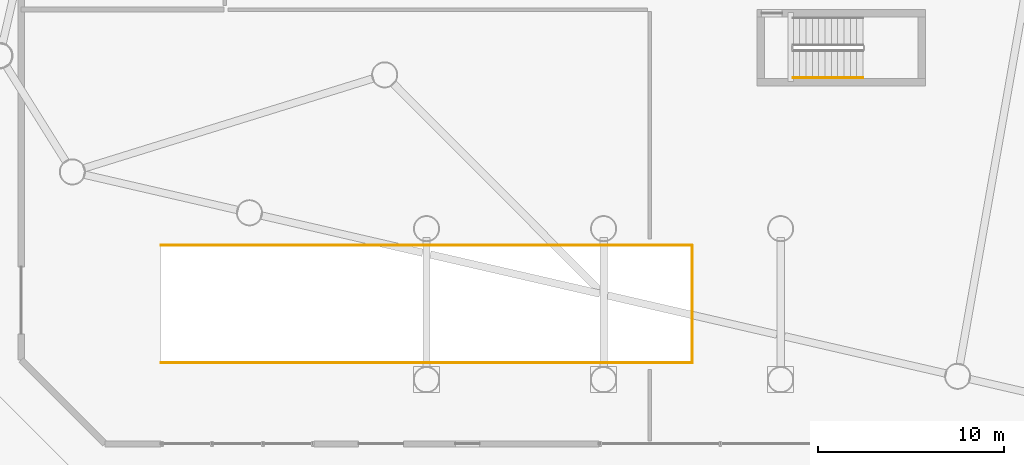
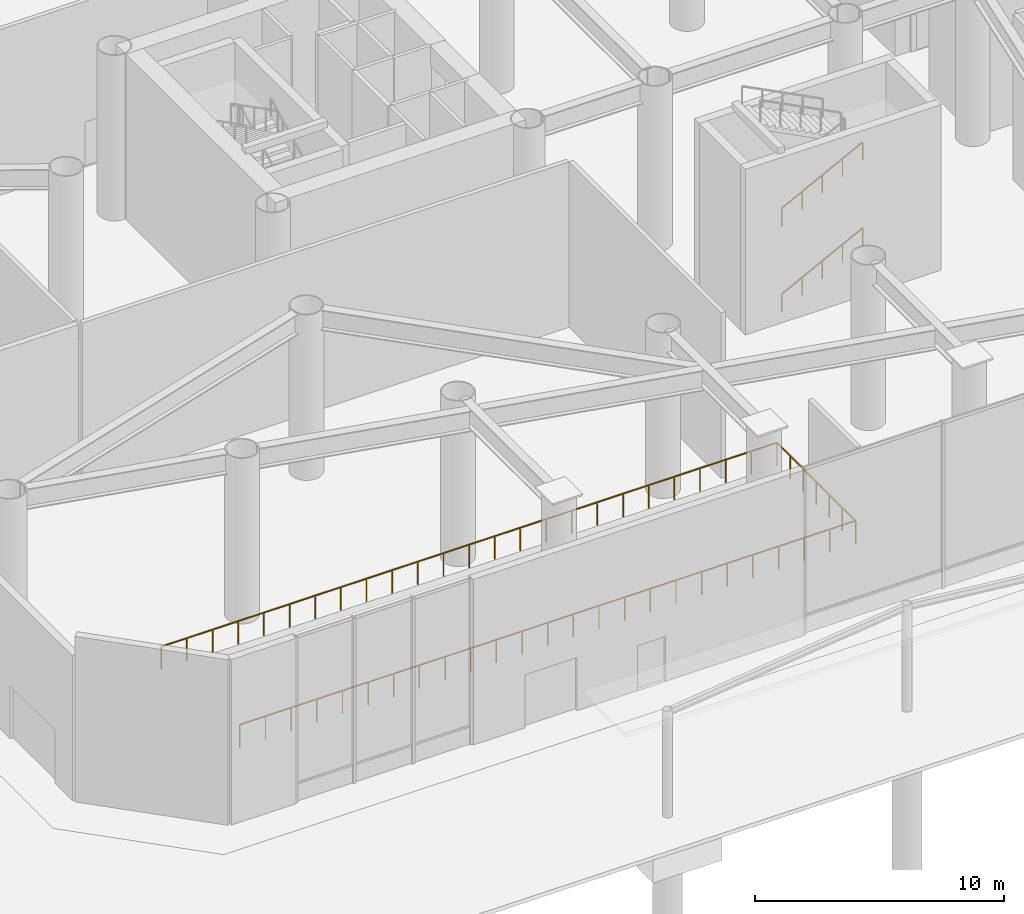
# One storey, part 26 of 28: 5 railings.
"""IFC4 building model written with IfcOpenShell, lengths in metres."""

from ifc_helpers import new_model, si_unit, direction, frame, origin, origin_2d, place, context, subcontext, project, spatial, rectangle, extrude, material, layer, layer_set, type_object, element, save


model = new_model("IFC4")

# Units and contexts
model_context = context("Model", 3, precision=1e-05, world=origin(), true_north=direction((0.0, 1.0)))
body_context = subcontext(model_context, "Body", "Model", "MODEL_VIEW")
ifc_project = project(units=[si_unit("LENGTHUNIT", "METRE"), si_unit("AREAUNIT", "SQUARE_METRE"), si_unit("VOLUMEUNIT", "CUBIC_METRE"), si_unit("PLANEANGLEUNIT", "RADIAN"), si_unit("MASSUNIT", "GRAM", prefix="KILO")], contexts=[model_context])

# Site, building, storey
site_placement = place(None, origin())
site = spatial("IfcSite", under=ifc_project, at=site_placement, CompositionType="ELEMENT")
building_placement = place(site_placement, origin())
building = spatial("IfcBuilding", under=site, at=building_placement, Name="Tavrogorsk Clinical Tower", CompositionType="ELEMENT")
storey_placement = place(building_placement, origin())
storey = spatial("IfcBuildingStorey", under=building, at=storey_placement, Name="L00", CompositionType="ELEMENT", Elevation=0.0)

# Railings
ifc_material_1 = material(Name="Galvanised steel S355 safety guardrail", Category="steel")
ifc_layer_1 = layer(ifc_material_1, 0.080078125)
ifc_layer_set_1 = layer_set([ifc_layer_1], Name="Galvanised steel S355 safety guardrail")
railing_type_1 = type_object("IfcRailingType", Name="RoofEdgeGuardRailing_1150", PredefinedType="GUARDRAIL", material=ifc_layer_set_1)
railing_1_placement = place(storey_placement, frame((-36.5, -28.64990234375, 0.0)))
element("IfcRailing", 1, at=railing_1_placement, inside=storey, type_object=railing_type_1, Name="L00 Vehicle Ramp Well Guardrail 1", PredefinedType="GUARDRAIL", context=body_context, shape_type="SweptSolid", body=[
    extrude(rectangle(XDim=0.048095703125, YDim=0.048095703125, at=origin_2d()), frame((0.0, 0.0, 1.1259765625), z_axis=(1.0, 0.0, 0.0), x_axis=(0.0, 1.0, 0.0)), (0.0, 0.0, 1.0), 28.5),
    extrude(rectangle(XDim=0.0419921875, YDim=0.0419921875, at=origin_2d()), origin(), (0.0, 0.0, 1.0), 1.101806640625),
    extrude(rectangle(XDim=0.0419921875, YDim=0.0419921875, at=origin_2d()), frame((1.1875, 0.0, 0.0)), (0.0, 0.0, 1.0), 1.101806640625),
    extrude(rectangle(XDim=0.0419921875, YDim=0.0419921875, at=origin_2d()), frame((2.375, 0.0, 0.0)), (0.0, 0.0, 1.0), 1.101806640625),
    extrude(rectangle(XDim=0.0419921875, YDim=0.0419921875, at=origin_2d()), frame((3.5625, 0.0, 0.0)), (0.0, 0.0, 1.0), 1.101806640625),
    extrude(rectangle(XDim=0.0419921875, YDim=0.0419921875, at=origin_2d()), frame((4.75, 0.0, 0.0)), (0.0, 0.0, 1.0), 1.101806640625),
    extrude(rectangle(XDim=0.0419921875, YDim=0.0419921875, at=origin_2d()), frame((5.9375, 0.0, 0.0)), (0.0, 0.0, 1.0), 1.101806640625),
    extrude(rectangle(XDim=0.0419921875, YDim=0.0419921875, at=origin_2d()), frame((7.125, 0.0, 0.0)), (0.0, 0.0, 1.0), 1.101806640625),
    extrude(rectangle(XDim=0.0419921875, YDim=0.0419921875, at=origin_2d()), frame((8.3125, 0.0, 0.0)), (0.0, 0.0, 1.0), 1.101806640625),
    extrude(rectangle(XDim=0.0419921875, YDim=0.0419921875, at=origin_2d()), frame((9.5, 0.0, 0.0)), (0.0, 0.0, 1.0), 1.101806640625),
    extrude(rectangle(XDim=0.0419921875, YDim=0.0419921875, at=origin_2d()), frame((10.6875, 0.0, 0.0)), (0.0, 0.0, 1.0), 1.101806640625),
    extrude(rectangle(XDim=0.0419921875, YDim=0.0419921875, at=origin_2d()), frame((11.875, 0.0, 0.0)), (0.0, 0.0, 1.0), 1.101806640625),
    extrude(rectangle(XDim=0.0419921875, YDim=0.0419921875, at=origin_2d()), frame((13.0625, 0.0, 0.0)), (0.0, 0.0, 1.0), 1.101806640625),
    extrude(rectangle(XDim=0.0419921875, YDim=0.0419921875, at=origin_2d()), frame((14.25, 0.0, 0.0)), (0.0, 0.0, 1.0), 1.101806640625),
    extrude(rectangle(XDim=0.0419921875, YDim=0.0419921875, at=origin_2d()), frame((15.4375, 0.0, 0.0)), (0.0, 0.0, 1.0), 1.101806640625),
    extrude(rectangle(XDim=0.0419921875, YDim=0.0419921875, at=origin_2d()), frame((16.625, 0.0, 0.0)), (0.0, 0.0, 1.0), 1.101806640625),
    extrude(rectangle(XDim=0.0419921875, YDim=0.0419921875, at=origin_2d()), frame((17.8125, 0.0, 0.0)), (0.0, 0.0, 1.0), 1.101806640625),
    extrude(rectangle(XDim=0.0419921875, YDim=0.0419921875, at=origin_2d()), frame((19.0, 0.0, 0.0)), (0.0, 0.0, 1.0), 1.101806640625),
    extrude(rectangle(XDim=0.0419921875, YDim=0.0419921875, at=origin_2d()), frame((20.1875, 0.0, 0.0)), (0.0, 0.0, 1.0), 1.101806640625),
    extrude(rectangle(XDim=0.0419921875, YDim=0.0419921875, at=origin_2d()), frame((21.375, 0.0, 0.0)), (0.0, 0.0, 1.0), 1.101806640625),
    extrude(rectangle(XDim=0.0419921875, YDim=0.0419921875, at=origin_2d()), frame((22.5625, 0.0, 0.0)), (0.0, 0.0, 1.0), 1.101806640625),
    extrude(rectangle(XDim=0.0419921875, YDim=0.0419921875, at=origin_2d()), frame((23.75, 0.0, 0.0)), (0.0, 0.0, 1.0), 1.101806640625),
    extrude(rectangle(XDim=0.0419921875, YDim=0.0419921875, at=origin_2d()), frame((24.9375, 0.0, 0.0)), (0.0, 0.0, 1.0), 1.101806640625),
    extrude(rectangle(XDim=0.0419921875, YDim=0.0419921875, at=origin_2d()), frame((26.125, 0.0, 0.0)), (0.0, 0.0, 1.0), 1.101806640625),
    extrude(rectangle(XDim=0.0419921875, YDim=0.0419921875, at=origin_2d()), frame((27.3125, 0.0, 0.0)), (0.0, 0.0, 1.0), 1.101806640625),
    extrude(rectangle(XDim=0.0419921875, YDim=0.0419921875, at=origin_2d()), frame((28.5, 0.0, 0.0)), (0.0, 0.0, 1.0), 1.101806640625),
])
railing_2_placement = place(storey_placement, frame((-8.0, -28.64990234375, 0.0)))
element("IfcRailing", 2, at=railing_2_placement, inside=storey, type_object=railing_type_1, Name="L00 Vehicle Ramp Well Guardrail 2", PredefinedType="GUARDRAIL", context=body_context, shape_type="SweptSolid", body=[
    extrude(rectangle(XDim=0.048095703125, YDim=0.048095703125, at=origin_2d()), frame((0.0, 0.0, 1.1259765625), z_axis=(0.0, 1.0, 0.0), x_axis=(-1.0, 0.0, 0.0)), (0.0, 0.0, 1.0), 6.2998046875),
    extrude(rectangle(XDim=0.0419921875, YDim=0.0419921875, at=origin_2d()), origin(), (0.0, 0.0, 1.0), 1.101806640625),
    extrude(rectangle(XDim=0.0419921875, YDim=0.0419921875, at=origin_2d()), frame((0.0, 1.050048828125, 0.0)), (0.0, 0.0, 1.0), 1.101806640625),
    extrude(rectangle(XDim=0.0419921875, YDim=0.0419921875, at=origin_2d()), frame((0.0, 2.099853515625, 0.0)), (0.0, 0.0, 1.0), 1.101806640625),
    extrude(rectangle(XDim=0.0419921875, YDim=0.0419921875, at=origin_2d()), frame((0.0, 3.14990234375, 0.0)), (0.0, 0.0, 1.0), 1.101806640625),
    extrude(rectangle(XDim=0.0419921875, YDim=0.0419921875, at=origin_2d()), frame((0.0, 4.199951171875, 0.0)), (0.0, 0.0, 1.0), 1.101806640625),
    extrude(rectangle(XDim=0.0419921875, YDim=0.0419921875, at=origin_2d()), frame((0.0, 5.249755859375, 0.0)), (0.0, 0.0, 1.0), 1.101806640625),
    extrude(rectangle(XDim=0.0419921875, YDim=0.0419921875, at=origin_2d()), frame((0.0, 6.2998046875, 0.0)), (0.0, 0.0, 1.0), 1.101806640625),
])
railing_3_placement = place(storey_placement, frame((-8.0, -22.35009765625, 0.0)))
element("IfcRailing", 3, at=railing_3_placement, inside=storey, type_object=railing_type_1, Name="L00 Vehicle Ramp Well Guardrail 3", PredefinedType="GUARDRAIL", context=body_context, shape_type="SweptSolid", body=[
    extrude(rectangle(XDim=0.048095703125, YDim=0.048095703125, at=origin_2d()), frame((0.0, 0.0, 1.1259765625), z_axis=(-1.0, 0.0, 0.0), x_axis=(0.0, -1.0, 0.0)), (0.0, 0.0, 1.0), 28.5),
    extrude(rectangle(XDim=0.0419921875, YDim=0.0419921875, at=origin_2d()), origin(), (0.0, 0.0, 1.0), 1.101806640625),
    extrude(rectangle(XDim=0.0419921875, YDim=0.0419921875, at=origin_2d()), frame((-1.1875, 0.0, 0.0)), (0.0, 0.0, 1.0), 1.101806640625),
    extrude(rectangle(XDim=0.0419921875, YDim=0.0419921875, at=origin_2d()), frame((-2.375, 0.0, 0.0)), (0.0, 0.0, 1.0), 1.101806640625),
    extrude(rectangle(XDim=0.0419921875, YDim=0.0419921875, at=origin_2d()), frame((-3.5625, 0.0, 0.0)), (0.0, 0.0, 1.0), 1.101806640625),
    extrude(rectangle(XDim=0.0419921875, YDim=0.0419921875, at=origin_2d()), frame((-4.75, 0.0, 0.0)), (0.0, 0.0, 1.0), 1.101806640625),
    extrude(rectangle(XDim=0.0419921875, YDim=0.0419921875, at=origin_2d()), frame((-5.9375, 0.0, 0.0)), (0.0, 0.0, 1.0), 1.101806640625),
    extrude(rectangle(XDim=0.0419921875, YDim=0.0419921875, at=origin_2d()), frame((-7.125, 0.0, 0.0)), (0.0, 0.0, 1.0), 1.101806640625),
    extrude(rectangle(XDim=0.0419921875, YDim=0.0419921875, at=origin_2d()), frame((-8.3125, 0.0, 0.0)), (0.0, 0.0, 1.0), 1.101806640625),
    extrude(rectangle(XDim=0.0419921875, YDim=0.0419921875, at=origin_2d()), frame((-9.5, 0.0, 0.0)), (0.0, 0.0, 1.0), 1.101806640625),
    extrude(rectangle(XDim=0.0419921875, YDim=0.0419921875, at=origin_2d()), frame((-10.6875, 0.0, 0.0)), (0.0, 0.0, 1.0), 1.101806640625),
    extrude(rectangle(XDim=0.0419921875, YDim=0.0419921875, at=origin_2d()), frame((-11.875, 0.0, 0.0)), (0.0, 0.0, 1.0), 1.101806640625),
    extrude(rectangle(XDim=0.0419921875, YDim=0.0419921875, at=origin_2d()), frame((-13.0625, 0.0, 0.0)), (0.0, 0.0, 1.0), 1.101806640625),
    extrude(rectangle(XDim=0.0419921875, YDim=0.0419921875, at=origin_2d()), frame((-14.25, 0.0, 0.0)), (0.0, 0.0, 1.0), 1.101806640625),
    extrude(rectangle(XDim=0.0419921875, YDim=0.0419921875, at=origin_2d()), frame((-15.4375, 0.0, 0.0)), (0.0, 0.0, 1.0), 1.101806640625),
    extrude(rectangle(XDim=0.0419921875, YDim=0.0419921875, at=origin_2d()), frame((-16.625, 0.0, 0.0)), (0.0, 0.0, 1.0), 1.101806640625),
    extrude(rectangle(XDim=0.0419921875, YDim=0.0419921875, at=origin_2d()), frame((-17.8125, 0.0, 0.0)), (0.0, 0.0, 1.0), 1.101806640625),
    extrude(rectangle(XDim=0.0419921875, YDim=0.0419921875, at=origin_2d()), frame((-19.0, 0.0, 0.0)), (0.0, 0.0, 1.0), 1.101806640625),
    extrude(rectangle(XDim=0.0419921875, YDim=0.0419921875, at=origin_2d()), frame((-20.1875, 0.0, 0.0)), (0.0, 0.0, 1.0), 1.101806640625),
    extrude(rectangle(XDim=0.0419921875, YDim=0.0419921875, at=origin_2d()), frame((-21.375, 0.0, 0.0)), (0.0, 0.0, 1.0), 1.101806640625),
    extrude(rectangle(XDim=0.0419921875, YDim=0.0419921875, at=origin_2d()), frame((-22.5625, 0.0, 0.0)), (0.0, 0.0, 1.0), 1.101806640625),
    extrude(rectangle(XDim=0.0419921875, YDim=0.0419921875, at=origin_2d()), frame((-23.75, 0.0, 0.0)), (0.0, 0.0, 1.0), 1.101806640625),
    extrude(rectangle(XDim=0.0419921875, YDim=0.0419921875, at=origin_2d()), frame((-24.9375, 0.0, 0.0)), (0.0, 0.0, 1.0), 1.101806640625),
    extrude(rectangle(XDim=0.0419921875, YDim=0.0419921875, at=origin_2d()), frame((-26.125, 0.0, 0.0)), (0.0, 0.0, 1.0), 1.101806640625),
    extrude(rectangle(XDim=0.0419921875, YDim=0.0419921875, at=origin_2d()), frame((-27.3125, 0.0, 0.0)), (0.0, 0.0, 1.0), 1.101806640625),
    extrude(rectangle(XDim=0.0419921875, YDim=0.0419921875, at=origin_2d()), frame((-28.5, 0.0, 0.0)), (0.0, 0.0, 1.0), 1.101806640625),
])
ifc_material_2 = material(Name="Stainless steel AISI 304 tubular handrail", Category="steel")
ifc_layer_2 = layer(ifc_material_2, 0.050048828125)
ifc_layer_set_2 = layer_set([ifc_layer_2], Name="Stainless steel AISI 304 tubular handrail")
railing_type_2 = type_object("IfcRailingType", Name="StairHandrail_920", PredefinedType="HANDRAIL", material=ifc_layer_set_2)
for number, where, name in (
    (4, (-2.574951171875, -13.35009765625, 0.175048828125), "L00 ST-P stair handrail 1"),
    (5, (-2.574951171875, -13.35009765625, 4.375), "L00 ST-P stair handrail 3"),
):
    element("IfcRailing", number, at=place(storey_placement, frame(where)), inside=storey, type_object=railing_type_2, Name=name, PredefinedType="HANDRAIL", context=body_context, shape_type="SweptSolid", body=[
        extrude(rectangle(XDim=0.048095703125, YDim=0.048095703125, at=origin_2d()), frame((0.0, 0.0, 0.8759765625), z_axis=(0.889130600629, 0.0, 0.457653553493), x_axis=(0.0, 1.0, 0.0)), (0.0, 0.0, 1.0), 4.206298828125),
        extrude(rectangle(XDim=0.0419921875, YDim=0.0419921875, at=origin_2d()), origin(), (0.0, 0.0, 1.0), 0.851806640625),
        extrude(rectangle(XDim=0.0419921875, YDim=0.0419921875, at=origin_2d()), frame((0.93505859375, 0.0, 0.481201171875)), (0.0, 0.0, 1.0), 0.851806640625),
        extrude(rectangle(XDim=0.0419921875, YDim=0.0419921875, at=origin_2d()), frame((1.8701171875, 0.0, 0.96240234375)), (0.0, 0.0, 1.0), 0.851806640625),
        extrude(rectangle(XDim=0.0419921875, YDim=0.0419921875, at=origin_2d()), frame((2.804931640625, 0.0, 1.44384765625)), (0.0, 0.0, 1.0), 0.851806640625),
        extrude(rectangle(XDim=0.0419921875, YDim=0.0419921875, at=origin_2d()), frame((3.739990234375, 0.0, 1.925048828125)), (0.0, 0.0, 1.0), 0.851806640625),
    ])

save(model, "model.ifc")
